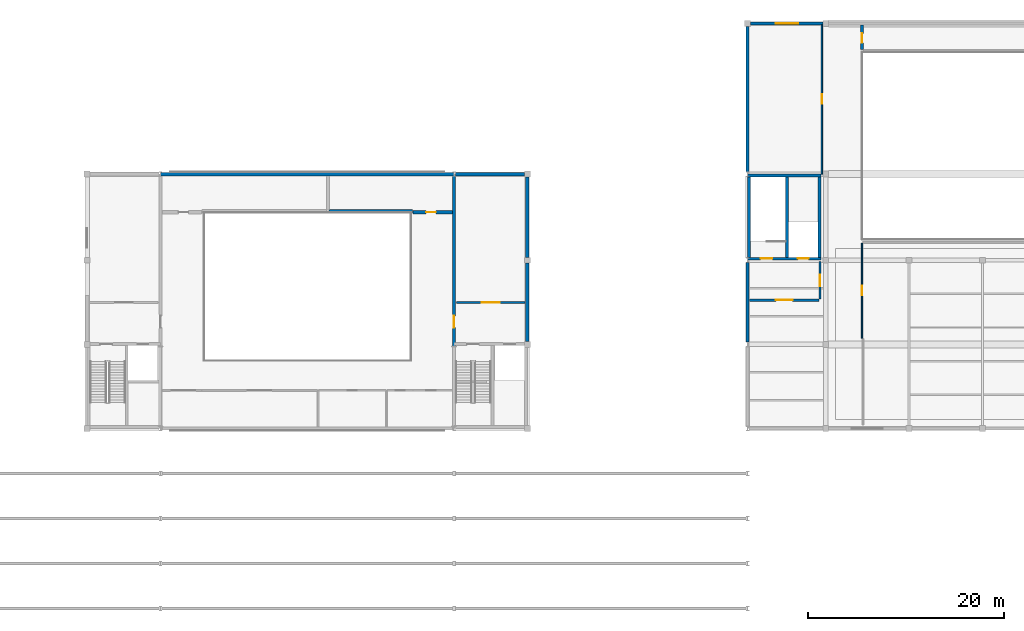
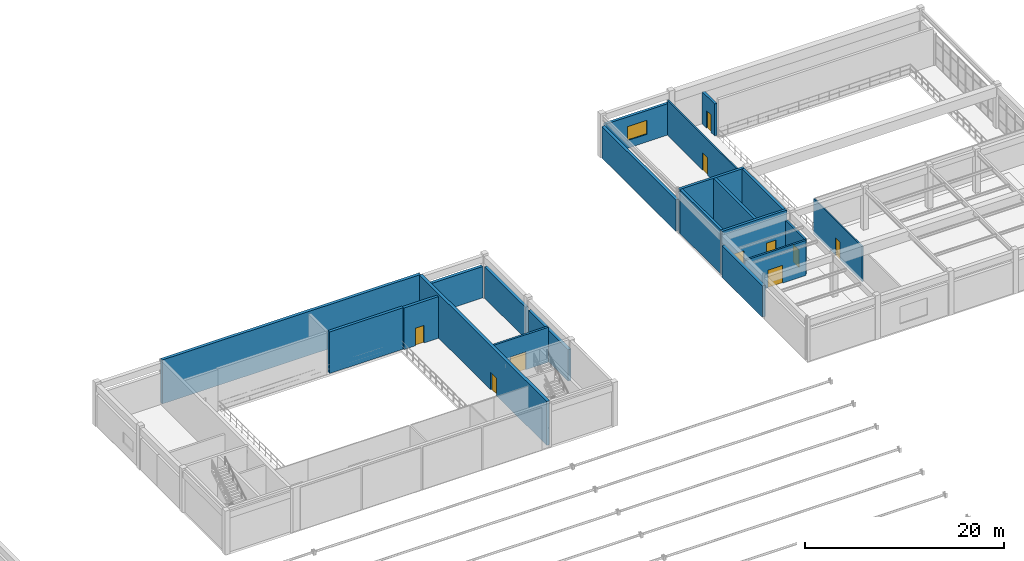
# One storey, part 34 of 38: 21 walls, 10 doors, 1 window, 11 openings.
"""IFC4 building model written with IfcOpenShell, lengths in metres."""

import ifcopenshell
import ifcopenshell.guid

model = None  # the IFC model being written
_history = None  # IfcOwnerHistory: only IFC2X3 demands one
_inside = {}  # id of a spatial element -> (the spatial element, [elements in it])
_under = {}  # id of a project, library or spatial element -> (it, [spatial elements below it])
_declared = {}  # id of a project -> (the project, [libraries it declares])
_typed = {}  # id of a type object -> (the type object, [elements of that type])
_made_of = {}  # id of a material, layer set ... -> (it, [elements and type objects made of it])


def new_model(schema):
    """Start an empty IFC model of exactly this schema.

    Asked for "IFC4X3", IfcOpenShell would pick the latest addendum, in which some entities
    have other attributes; the version numbers below select the first issue.
    IFC2X3 requires an IfcOwnerHistory on every rooted entity: one is made here for all.
    """
    global model, _history
    if schema == "IFC4X3":
        model = ifcopenshell.file(schema_version=(4, 3, 0, 0))
    else:
        model = ifcopenshell.file(schema=schema)
    _inside.clear()
    _under.clear()
    _declared.clear()
    _typed.clear()
    _made_of.clear()
    _history = None
    if model.schema == "IFC2X3":
        org = make("IfcOrganization", Name="unknown")
        user = make(
            "IfcPersonAndOrganization",
            ThePerson=make("IfcPerson", FamilyName="unknown"),
            TheOrganization=org,
        )
        app = make(
            "IfcApplication",
            ApplicationDeveloper=org,
            Version="unknown",
            ApplicationFullName="unknown",
            ApplicationIdentifier="unknown",
        )
        _history = make(
            "IfcOwnerHistory",
            OwningUser=user,
            OwningApplication=app,
            ChangeAction="ADDED",
            CreationDate=0,
        )
    return model


def make(cls, **values):
    """One entity of the class cls with the attributes given. An attribute that is None is left unset."""
    return model.create_entity(
        cls, **{name: value for name, value in values.items() if value is not None}
    )


def rooted(cls, **values):
    """An entity with a GlobalId (a new one), such as an element, a storey or a relation."""
    return make(cls, GlobalId=ifcopenshell.guid.new(), OwnerHistory=_history, **values)


def si_unit(unit_type, name, prefix=None):
    """IfcSIUnit, for example si_unit("LENGTHUNIT", "METRE", prefix="MILLI")."""
    return make("IfcSIUnit", UnitType=unit_type, Prefix=prefix, Name=name)


def assignment(units):
    """IfcUnitAssignment: the units of a project."""
    return None if units is None else make("IfcUnitAssignment", Units=units)


def point(xyz):
    """IfcCartesianPoint."""
    return None if xyz is None else make("IfcCartesianPoint", Coordinates=xyz)


def direction(xyz):
    """IfcDirection."""
    return None if xyz is None else make("IfcDirection", DirectionRatios=xyz)


def frame(location, z_axis=None, x_axis=None):
    """IfcAxis2Placement3D, a coordinate frame: its origin and axes. An axis left out is left unset."""
    return make(
        "IfcAxis2Placement3D",
        Location=point(location),
        Axis=direction(z_axis),
        RefDirection=direction(x_axis),
    )


def frame_2d(location, x_axis=None):
    """IfcAxis2Placement2D, a coordinate frame in the plane: its origin and x axis."""
    return make(
        "IfcAxis2Placement2D", Location=point(location), RefDirection=direction(x_axis)
    )


def origin():
    """The frame at (0, 0, 0) with its axes left unset."""
    return frame((0.0, 0.0, 0.0))


def place(relative_to, where):
    """IfcLocalPlacement: puts the frame where relative to a parent placement (None: the world)."""
    return make(
        "IfcLocalPlacement", PlacementRelTo=relative_to, RelativePlacement=where
    )


def context(
    kind, dimensions, precision=None, world=None, true_north=None, identifier=None
):
    """IfcGeometricRepresentationContext, for example the 3D "Model" context."""
    return make(
        "IfcGeometricRepresentationContext",
        ContextIdentifier=identifier,
        ContextType=kind,
        CoordinateSpaceDimension=dimensions,
        Precision=precision,
        WorldCoordinateSystem=world,
        TrueNorth=true_north,
    )


def subcontext(parent, identifier, kind, view, scale=None):
    """IfcGeometricRepresentationSubContext, for example "Body" below "Model"."""
    return make(
        "IfcGeometricRepresentationSubContext",
        ContextIdentifier=identifier,
        ContextType=kind,
        ParentContext=parent,
        TargetScale=scale,
        TargetView=view,
    )


def project(units=None, contexts=None):
    """IfcProject with its units and contexts."""
    return rooted(
        "IfcProject",
        Name="project",
        RepresentationContexts=contexts,
        UnitsInContext=assignment(units),
    )


def spatial(cls, under=None, at=None, **own):
    """A site, building, storey or space (cls), placed at a placement, below another one or the project."""
    s = rooted(cls, ObjectPlacement=at, **own)
    if under is not None:
        _under.setdefault(under.id(), (under, []))[1].append(s)
    return s


def profile(cls, at=None, kind="AREA", **sizes):
    """A parametric profile (cls). Its sizes go by their IFC names, for example OverallWidth=200.0."""
    return make(cls, ProfileType=kind, Position=at, **sizes)


def rectangle(**sizes):
    """IfcRectangleProfileDef."""
    return profile("IfcRectangleProfileDef", **sizes)


def extrude(swept, where, along, depth):
    """IfcExtrudedAreaSolid: the profile swept, set in the frame where, extruded along a direction by depth."""
    return make(
        "IfcExtrudedAreaSolid",
        SweptArea=swept,
        Position=where,
        ExtrudedDirection=direction(along),
        Depth=depth,
    )


def shape(context_of_items, identifier, shape_type, items):
    """IfcShapeRepresentation: the items that make up one representation, for example the "Body"."""
    return make(
        "IfcShapeRepresentation",
        ContextOfItems=context_of_items,
        RepresentationIdentifier=identifier,
        RepresentationType=shape_type,
        Items=items,
    )


def material(Name=None, Category=None):
    """IfcMaterial."""
    return make("IfcMaterial", Name=Name, Category=Category)


def layer(
    of_material, thickness, ventilated=None, Name=None, Category=None, Priority=None
):
    """IfcMaterialLayer: one layer of a wall or slab, of a material (None: an air gap)."""
    return make(
        "IfcMaterialLayer",
        Material=of_material,
        LayerThickness=thickness,
        IsVentilated=ventilated,
        Name=Name,
        Category=Category,
        Priority=Priority,
    )


def layer_set(layers, Name=None):
    """IfcMaterialLayerSet."""
    return make("IfcMaterialLayerSet", MaterialLayers=layers, LayerSetName=Name)


def made_of(thing, what):
    """Note that an element or type object is made of a material, layer set ...; save() writes the relation."""
    if what is not None:
        _made_of.setdefault(what.id(), (what, []))[1].append(thing)
    return thing


def type_object(cls, material=None, **own):
    """A type object (cls), such as IfcWallType, which elements share."""
    return made_of(rooted(cls, **own), material)


def element(
    cls,
    number,
    at=None,
    inside=None,
    cuts=None,
    type_object=None,
    material=None,
    context=None,
    identifier="Body",
    shape_type=None,
    held_by="IfcProductDefinitionShape",
    body=None,
    shapes=None,
    **own,
):
    """One element of the class cls, such as IfcWall. Its Tag is "e" and its number.

    at: its placement. inside: the storey or other place that contains it. cuts: it is an
    opening in that element (IfcRelVoidsElement). A single representation is given by context,
    identifier, shape_type and body (its items); several are given by shapes. held_by: the class
    of the entity that holds the representations. save() writes the other relations.
    """
    e = rooted(cls, Tag="e%d" % number, ObjectPlacement=at, **own)
    if body is not None:
        shapes = [shape(context, identifier, shape_type, body)]
    if shapes is not None:
        e.Representation = make(held_by, Representations=shapes)
    if inside is not None:
        _inside.setdefault(inside.id(), (inside, []))[1].append(e)
    if cuts is not None:
        rooted(
            "IfcRelVoidsElement", RelatingBuildingElement=cuts, RelatedOpeningElement=e
        )
    if type_object is not None:
        _typed.setdefault(type_object.id(), (type_object, []))[1].append(e)
    return made_of(e, material)


def fill(opening, filler):
    """IfcRelFillsElement: the door or window that sits in an opening."""
    return rooted(
        "IfcRelFillsElement",
        RelatingOpeningElement=opening,
        RelatedBuildingElement=filler,
    )


def aggregate(whole, parts):
    """IfcRelAggregates: a whole, such as a stair, and the parts it consists of."""
    return rooted("IfcRelAggregates", RelatingObject=whole, RelatedObjects=parts)


def save(model, path):
    """Write the relations noted so far, then the file.

    IfcRelAggregates (storeys below a building ...), IfcRelContainedInSpatialStructure (elements
    in a storey), IfcRelDefinesByType, IfcRelAssociatesMaterial and IfcRelDeclares: one each for
    every whole, place, type object, material and project.
    """
    for whole, parts in _under.values():
        aggregate(whole, parts)
    for where, things in _inside.values():
        rooted(
            "IfcRelContainedInSpatialStructure",
            RelatedElements=things,
            RelatingStructure=where,
        )
    for kind, things in _typed.values():
        rooted("IfcRelDefinesByType", RelatedObjects=things, RelatingType=kind)
    for what, things in _made_of.values():
        rooted("IfcRelAssociatesMaterial", RelatedObjects=things, RelatingMaterial=what)
    for by, libraries in _declared.values():
        rooted("IfcRelDeclares", RelatingContext=by, RelatedDefinitions=libraries)
    model.write(path)


model = new_model("IFC4")

# Units and contexts
model_context = context("Model", 3, precision=1e-05, world=origin(), true_north=direction((0.0, 1.0)))
body_context = subcontext(model_context, "Body", "Model", "MODEL_VIEW")
ifc_project = project(units=[si_unit("LENGTHUNIT", "METRE"), si_unit("AREAUNIT", "SQUARE_METRE"), si_unit("VOLUMEUNIT", "CUBIC_METRE"), si_unit("PLANEANGLEUNIT", "RADIAN"), si_unit("MASSUNIT", "GRAM", prefix="KILO")], contexts=[model_context])

# Site, building, storey
site_placement = place(None, origin())
site = spatial("IfcSite", under=ifc_project, at=site_placement, CompositionType="ELEMENT")
building_placement = place(site_placement, origin())
building = spatial("IfcBuilding", under=site, at=building_placement, Name="Muzn Square Opera House", CompositionType="ELEMENT")
storey_placement = place(building_placement, frame((0.0, 0.0, 18.0)))
storey = spatial("IfcBuildingStorey", under=building, at=storey_placement, Name="L04", CompositionType="ELEMENT", Elevation=18.0)

# Wall, opening, door
ifc_material_1 = material(Name="Acoustic gypsum stud partition", Category="gypsum")
ifc_layer_1 = layer(ifc_material_1, 0.320068359375, Name="Acoustic gypsum stud partition", Category="gypsum")
ifc_layer_set_1 = layer_set([ifc_layer_1], Name="Acoustic gypsum stud partition")
wall_type_1 = type_object("IfcWallType", Name="Acoustic Studio Double Wall 320mm", PredefinedType="PARTITIONING", material=ifc_layer_set_1)
wall_1_placement = place(storey_placement, frame((98.800048828125, 94.699951171875, 0.0), z_axis=(0.0, 0.0, 1.0), x_axis=(1.0, 0.0, 0.0)))
wall_1 = element("IfcWall", 1, at=wall_1_placement, inside=storey, type_object=wall_type_1, Name="Interior Partition PW-L04-0393", PredefinedType="PARTITIONING", context=body_context, shape_type="SweptSolid", body=[
    extrude(rectangle(XDim=4.02001953125, YDim=0.320068359375, at=frame_2d((2.010009765625, 0.0))), origin(), (0.0, 0.0, 1.0), 5.10009765625),
])
opening_1_placement = place(wall_1_placement, frame((1.360107421875, 0.0, 0.0)))
opening_1 = element("IfcOpeningElement", 2, at=opening_1_placement, cuts=wall_1, Name="Opening DR-TS98", PredefinedType="OPENING", context=body_context, shape_type="SweptSolid", body=[
    extrude(rectangle(XDim=0.97998046875, YDim=2.14990234375, at=frame_2d((0.489990234375, 1.074951171875))), frame((0.0, 0.169921875, 0.0), z_axis=(0.0, -1.0, 0.0), x_axis=(1.0, 0.0, 0.0)), (0.0, 0.0, 1.0), 0.340087890625),
])
ifc_material_2 = material(Name="Acoustic hardwood leaf", Category="wood")
door_type_1 = type_object("IfcDoorType", Name="Technical Studio Door 980x2150", OperationType="NOTDEFINED", PredefinedType="DOOR", material=ifc_material_2)
door_1_placement = place(opening_1_placement, origin())
door_1 = element("IfcDoor", 3, at=door_1_placement, inside=storey, type_object=door_type_1, Name="Lighting Design Studio Door DR-L04-0115", OperationType="SINGLE_SWING_RIGHT", OverallHeight=2.14990234375, OverallWidth=0.97998046875, PredefinedType="DOOR", context=body_context, shape_type="SweptSolid", body=[
    extrude(rectangle(XDim=0.97998046875, YDim=2.14990234375, at=frame_2d((0.489990234375, 1.074951171875))), frame((0.0, 0.02490234375, 0.0), z_axis=(0.0, -1.0, 0.0), x_axis=(1.0, 0.0, 0.0)), (0.0, 0.0, 1.0), 0.050048828125),
])
fill(opening_1, door_1)

# Walls
wall_2_placement = place(storey_placement, frame((90.2451171875, 94.800048828125, 0.0), z_axis=(0.0, 0.0, 1.0), x_axis=(1.0, 0.0, 0.0)))
element("IfcWall", 4, at=wall_2_placement, inside=storey, type_object=wall_type_1, Name="Room Enclosure Partition PW-L04-0406", PredefinedType="PARTITIONING", context=body_context, shape_type="SweptSolid", body=[
    extrude(rectangle(XDim=8.534912109375, YDim=0.320068359375, at=frame_2d((4.267578125, 0.0))), origin(), (0.0, 0.0, 1.0), 5.10009765625),
])
ifc_material_3 = material(Name="Concrete C45/55", Category="concrete")
ifc_layer_2 = layer(ifc_material_3, 0.300048828125, Name="Concrete C45/55", Category="concrete")
ifc_layer_set_2 = layer_set([ifc_layer_2], Name="Concrete C45/55")
wall_type_2 = type_object("IfcWallType", Name="Core Shear Wall 300mm", PredefinedType="SHEAR", material=ifc_layer_set_2)
wall_3_placement = place(storey_placement, frame((133.0, 98.449951171875, 0.0), z_axis=(0.0, 0.0, 1.0), x_axis=(1.0, 0.0, 0.0)))
element("IfcWall", 5, at=wall_3_placement, inside=storey, type_object=wall_type_2, Name="Core C5 Shear Wall SW-C5-L04-N", PredefinedType="SHEAR", context=body_context, shape_type="SweptSolid", body=[
    extrude(rectangle(XDim=7.5, YDim=0.300048828125, at=frame_2d((3.75, 0.0))), origin(), (0.0, 0.0, 1.0), 5.39990234375),
])
for number, where, z_axis, x_axis, name in (
    (6, (133.14990234375, 90.10009765625, 0.0), (0.0, 0.0, 1.0), (0.0, 1.0, 0.0), "Core C5 Shear Wall SW-C5-L04-W"),
    (7, (140.35009765625, 90.10009765625, 0.0), (0.0, 0.0, 1.0), (0.0, 1.0, 0.0), "Core C5 Shear Wall SW-C5-L04-E"),
    (8, (137.050048828125, 90.10009765625, 0.0), (0.0, 0.0, 1.0), (0.0, 1.0, 0.0), "Core C5 Shear Wall SW-C5-L04-DIV"),
):
    element("IfcWall", number, at=place(storey_placement, frame(where, z_axis=z_axis, x_axis=x_axis)), inside=storey, type_object=wall_type_2, Name=name, PredefinedType="SHEAR", context=body_context, shape_type="SweptSolid", body=[
        extrude(rectangle(XDim=8.199951171875, YDim=0.300048828125, at=frame_2d((4.10009765625, 0.0))), origin(), (0.0, 0.0, 1.0), 5.39990234375),
    ])

# Wall, openings, doors
wall_4_placement = place(storey_placement, frame((133.0, 89.949951171875, 0.0), z_axis=(0.0, 0.0, 1.0), x_axis=(1.0, 0.0, 0.0)))
wall_4 = element("IfcWall", 9, at=wall_4_placement, inside=storey, type_object=wall_type_2, Name="Core C5 Front Shear Wall L04", PredefinedType="SHEAR", context=body_context, shape_type="SweptSolid", body=[
    extrude(rectangle(XDim=7.5, YDim=0.300048828125, at=frame_2d((3.75, 0.0))), origin(), (0.0, 0.0, 1.0), 5.39990234375),
])
opening_2_placement = place(wall_4_placement, frame((2.550048828125, 0.0, 0.0), z_axis=(0.0, 0.0, 1.0), x_axis=(-1.0, 0.0, 0.0)))
opening_2 = element("IfcOpeningElement", 10, at=opening_2_placement, cuts=wall_4, Name="Opening DR-ST12", PredefinedType="OPENING", context=body_context, shape_type="SweptSolid", body=[
    extrude(rectangle(XDim=1.199951171875, YDim=2.14990234375, at=frame_2d((0.60009765625, 1.074951171875))), frame((0.0, 0.159912109375, 0.0), z_axis=(0.0, -1.0, 0.0), x_axis=(1.0, 0.0, 0.0)), (0.0, 0.0, 1.0), 0.320068359375),
])
opening_3_placement = place(wall_4_placement, frame((5.14990234375, 0.0, 0.0)))
opening_3 = element("IfcOpeningElement", 11, at=opening_3_placement, cuts=wall_4, Name="Opening LD-01", PredefinedType="OPENING", context=body_context, shape_type="SweptSolid", body=[
    extrude(rectangle(XDim=1.10009765625, YDim=2.14990234375, at=frame_2d((0.550048828125, 1.074951171875))), frame((0.0, 0.159912109375, 0.0), z_axis=(0.0, -1.0, 0.0), x_axis=(1.0, 0.0, 0.0)), (0.0, 0.0, 1.0), 0.320068359375),
])
ifc_material_4 = material(Name="Galvanised painted steel leaf", Category="metal")
door_type_2 = type_object("IfcDoorType", Name="Core Stair Fire Door 1200x2150", OperationType="NOTDEFINED", PredefinedType="DOOR", material=ifc_material_4)
door_2_placement = place(opening_2_placement, origin())
door_2 = element("IfcDoor", 12, at=door_2_placement, inside=storey, type_object=door_type_2, Name="Core C5 Stair Door L04", OperationType="SINGLE_SWING_RIGHT", OverallHeight=2.14990234375, OverallWidth=1.199951171875, PredefinedType="DOOR", context=body_context, shape_type="SweptSolid", body=[
    extrude(rectangle(XDim=1.199951171875, YDim=2.14990234375, at=frame_2d((0.60009765625, 1.074951171875))), frame((0.0, 0.02490234375, 0.0), z_axis=(0.0, -1.0, 0.0), x_axis=(1.0, 0.0, 0.0)), (0.0, 0.0, 1.0), 0.050048828125),
])
fill(opening_2, door_2)
ifc_material_5 = material(Name="Brushed stainless steel", Category="metal")
door_type_3 = type_object("IfcDoorType", Name="Lift Landing Sliding Door 1100x2150", OperationType="SLIDING_TO_LEFT", PredefinedType="DOOR", material=ifc_material_5)
door_3_placement = place(opening_3_placement, origin())
door_3 = element("IfcDoor", 13, at=door_3_placement, inside=storey, type_object=door_type_3, Name="Lift PL-5 Sliding Landing Door L04", OperationType="SLIDING_TO_LEFT", OverallHeight=2.14990234375, OverallWidth=1.10009765625, PredefinedType="DOOR", context=body_context, shape_type="SweptSolid", body=[
    extrude(rectangle(XDim=1.10009765625, YDim=2.14990234375, at=frame_2d((0.550048828125, 1.074951171875))), frame((0.0, 0.02490234375, 0.0), z_axis=(0.0, -1.0, 0.0), x_axis=(1.0, 0.0, 0.0)), (0.0, 0.0, 1.0), 0.050048828125),
])
fill(opening_3, door_3)

# Wall, opening, window
ifc_material_6 = material(Name="Concrete C40/50", Category="concrete")
ifc_layer_3 = layer(ifc_material_6, 0.31005859375, Name="Concrete C40/50", Category="concrete")
ifc_layer_set_3 = layer_set([ifc_layer_3], Name="Concrete C40/50")
wall_type_3 = type_object("IfcWallType", Name="Exterior Gallery Facade Wall 310mm", PredefinedType="SOLIDWALL", material=ifc_layer_set_3)
wall_5_placement = place(storey_placement, frame((133.300048828125, 114.0, 0.0), z_axis=(0.0, 0.0, 1.0), x_axis=(1.0, 0.0, 0.0)))
wall_5 = element("IfcWall", 14, at=wall_5_placement, inside=storey, type_object=wall_type_3, Name="Exterior Facade Wall EW-L04-096", PredefinedType="SOLIDWALL", context=body_context, shape_type="SweptSolid", body=[
    extrude(rectangle(XDim=7.39990234375, YDim=0.31005859375, at=frame_2d((3.699951171875, 0.0))), origin(), (0.0, 0.0, 1.0), 3.85009765625),
])
opening_4_placement = place(wall_5_placement, frame((2.580078125, 0.0, 0.949951171875)))
opening_4 = element("IfcOpeningElement", 15, at=opening_4_placement, cuts=wall_5, Name="Opening WN-M2317", PredefinedType="OPENING", context=body_context, shape_type="SweptSolid", body=[
    extrude(rectangle(XDim=2.300048828125, YDim=1.699951171875, at=frame_2d((1.14990234375, 0.85009765625))), frame((0.0, 0.1650390625, 0.0), z_axis=(0.0, -1.0, 0.0), x_axis=(1.0, 0.0, 0.0)), (0.0, 0.0, 1.0), 0.330078125),
])
ifc_material_7 = material(Name="Low-E laminated acoustic double glazing", Category="glass")
window_type = type_object("IfcWindowType", Name="Recording Control Window 2300x1700", PartitioningType="DOUBLE_PANEL_HORIZONTAL", PredefinedType="WINDOW", material=ifc_material_7)
window_placement = place(opening_4_placement, origin())
window = element("IfcWindow", 16, at=window_placement, inside=storey, type_object=window_type, Name="Recording Control Window 2300x1700 EW-L04-096-WN01", OverallHeight=1.699951171875, OverallWidth=2.300048828125, PartitioningType="SINGLE_PANEL", PredefinedType="WINDOW", context=body_context, shape_type="SweptSolid", body=[
    extrude(rectangle(XDim=2.300048828125, YDim=1.699951171875, at=frame_2d((1.14990234375, 0.85009765625))), frame((0.0, 0.030029296875, 0.0), z_axis=(0.0, -1.0, 0.0), x_axis=(1.0, 0.0, 0.0)), (0.0, 0.0, 1.0), 0.06005859375),
])
fill(opening_4, window)

# Walls
ifc_layer_4 = layer(ifc_material_6, 0.340087890625, Name="Concrete C40/50", Category="concrete")
ifc_layer_set_4 = layer_set([ifc_layer_4], Name="Concrete C40/50")
wall_type_4 = type_object("IfcWallType", Name="Exterior Insulated Spandrel Wall 340mm", PredefinedType="SOLIDWALL", material=ifc_layer_set_4)
wall_6_placement = place(storey_placement, frame((110.5, 81.5, 0.0), z_axis=(0.0, 0.0, 1.0), x_axis=(0.0, 1.0, 0.0)))
element("IfcWall", 17, at=wall_6_placement, inside=storey, type_object=wall_type_4, Name="Exterior Facade Wall EW-L04-263", PredefinedType="SOLIDWALL", context=body_context, shape_type="SweptSolid", body=[
    extrude(rectangle(XDim=8.0, YDim=0.340087890625, at=frame_2d((4.0, 0.0))), origin(), (0.0, 0.0, 1.0), 3.85009765625),
])
wall_7_placement = place(storey_placement, frame((110.5, 90.10009765625, 0.0), z_axis=(0.0, 0.0, 1.0), x_axis=(0.0, 1.0, 0.0)))
element("IfcWall", 18, at=wall_7_placement, inside=storey, type_object=wall_type_4, Name="Exterior Facade Wall EW-L04-264", PredefinedType="SOLIDWALL", context=body_context, shape_type="SweptSolid", body=[
    extrude(rectangle(XDim=8.199951171875, YDim=0.340087890625, at=frame_2d((4.10009765625, 0.0))), origin(), (0.0, 0.0, 1.0), 3.85009765625),
])
wall_8_placement = place(storey_placement, frame((103.14990234375, 98.60009765625, 0.0), z_axis=(0.0, 0.0, 1.0), x_axis=(1.0, 0.0, 0.0)))
element("IfcWall", 19, at=wall_8_placement, inside=storey, type_object=wall_type_4, Name="Exterior Facade Wall EW-L04-267", PredefinedType="SOLIDWALL", context=body_context, shape_type="SweptSolid", body=[
    extrude(rectangle(XDim=7.050048828125, YDim=0.340087890625, at=frame_2d((3.52490234375, 0.0))), origin(), (0.0, 0.0, 1.0), 3.85009765625),
])
wall_9_placement = place(storey_placement, frame((133.0, 81.425048828125, 0.0), z_axis=(0.0, 0.0, 1.0), x_axis=(0.0, 1.0, 0.0)))
element("IfcWall", 20, at=wall_9_placement, inside=storey, type_object=wall_type_4, Name="Exterior Facade Wall EW-L04-274", PredefinedType="SOLIDWALL", context=body_context, shape_type="SweptSolid", body=[
    extrude(rectangle(XDim=8.14990234375, YDim=0.340087890625, at=frame_2d((4.074951171875, 0.0))), origin(), (0.0, 0.0, 1.0), 3.85009765625),
])
wall_10_placement = place(storey_placement, frame((133.0, 98.824951171875, 0.0), z_axis=(0.0, 0.0, 1.0), x_axis=(0.0, 1.0, 0.0)))
element("IfcWall", 21, at=wall_10_placement, inside=storey, type_object=wall_type_4, Name="Exterior Facade Wall EW-L04-276", PredefinedType="SOLIDWALL", context=body_context, shape_type="SweptSolid", body=[
    extrude(rectangle(XDim=14.875, YDim=0.340087890625, at=frame_2d((7.4375, 0.0))), origin(), (0.0, 0.0, 1.0), 3.85009765625),
])

# Wall, opening, door
ifc_layer_5 = layer(ifc_material_6, 0.239990234375, Name="Concrete C40/50", Category="concrete")
ifc_layer_set_5 = layer_set([ifc_layer_5], Name="Concrete C40/50")
wall_type_5 = type_object("IfcWallType", Name="Firefighting Lobby Wall 240mm", PredefinedType="SOLIDWALL", material=ifc_layer_set_5)
wall_11_placement = place(storey_placement, frame((103.239990234375, 85.47998046875, 0.0), z_axis=(0.0, 0.0, 1.0), x_axis=(1.0, 0.0, 0.0)))
wall_11 = element("IfcWall", 22, at=wall_11_placement, inside=storey, type_object=wall_type_5, Name="Lobby C2 Enclosure Wall L04", PredefinedType="SOLIDWALL", context=body_context, shape_type="SweptSolid", body=[
    extrude(rectangle(XDim=7.02001953125, YDim=0.239990234375, at=frame_2d((3.510009765625, 0.0))), origin(), (0.0, 0.0, 1.0), 4.300048828125),
])
opening_5_placement = place(wall_11_placement, frame((2.610107421875, 0.0, 0.0)))
opening_5 = element("IfcOpeningElement", 23, at=opening_5_placement, cuts=wall_11, Name="Opening DR-FL18", PredefinedType="OPENING", context=body_context, shape_type="SweptSolid", body=[
    extrude(rectangle(XDim=1.800048828125, YDim=2.179931640625, at=frame_2d((0.89990234375, 1.08984375))), frame((0.0, 0.1298828125, 0.0), z_axis=(0.0, -1.0, 0.0), x_axis=(1.0, 0.0, 0.0)), (0.0, 0.0, 1.0), 0.260009765625),
])
door_type_4 = type_object("IfcDoorType", Name="Firefighting Lobby Double Door 1800x2180", OperationType="DOUBLE_DOOR_SINGLE_SWING", PredefinedType="DOOR", material=ifc_material_4)
door_4_placement = place(opening_5_placement, origin())
door_4 = element("IfcDoor", 24, at=door_4_placement, inside=storey, type_object=door_type_4, Name="Lobby C2 Fire Door L04", OperationType="DOUBLE_DOOR_SINGLE_SWING", OverallHeight=2.179931640625, OverallWidth=1.800048828125, PredefinedType="DOOR", context=body_context, shape_type="SweptSolid", body=[
    extrude(rectangle(XDim=1.800048828125, YDim=2.179931640625, at=frame_2d((0.89990234375, 1.08984375))), frame((0.0, 0.02490234375, 0.0), z_axis=(0.0, -1.0, 0.0), x_axis=(1.0, 0.0, 0.0)), (0.0, 0.0, 1.0), 0.050048828125),
])
fill(opening_5, door_4)

ifc_layer_6 = layer(ifc_material_3, 0.35009765625, Name="Concrete C45/55", Category="concrete")
ifc_layer_set_6 = layer_set([ifc_layer_6], Name="Concrete C45/55")
wall_type_6 = type_object("IfcWallType", Name="Fly Tower Shear Wall 350mm", PredefinedType="SHEAR", material=ifc_layer_set_6)
wall_12_placement = place(storey_placement, frame((103.0, 72.81494140625, 0.0), z_axis=(0.0, 0.0, 1.0), x_axis=(0.0, 1.0, 0.0)))
wall_12 = element("IfcWall", 25, at=wall_12_placement, inside=storey, type_object=wall_type_6, Name="Fly Tower Shear Wall FTW-L04-E", PredefinedType="SHEAR", context=body_context, shape_type="SweptSolid", body=[
    extrude(rectangle(XDim=25.570068359375, YDim=0.35009765625, at=frame_2d((12.78515625, 0.0))), origin(), (0.0, 0.0, 1.0), 5.39990234375),
])
opening_6_placement = place(wall_12_placement, frame((10.0849609375, 0.0, 0.0)))
opening_6 = element("IfcOpeningElement", 26, at=opening_6_placement, cuts=wall_12, Name="Opening DR-ST12", PredefinedType="OPENING", context=body_context, shape_type="SweptSolid", body=[
    extrude(rectangle(XDim=1.199951171875, YDim=2.14990234375, at=frame_2d((0.60009765625, 1.074951171875))), frame((0.0, 0.18505859375, 0.0), z_axis=(0.0, -1.0, 0.0), x_axis=(1.0, 0.0, 0.0)), (0.0, 0.0, 1.0), 0.3701171875),
])
door_5_placement = place(opening_6_placement, origin())
door_5 = element("IfcDoor", 27, at=door_5_placement, inside=storey, type_object=door_type_2, Name="Lobby C2 Side Door W L04", OperationType="SINGLE_SWING_RIGHT", OverallHeight=2.14990234375, OverallWidth=1.199951171875, PredefinedType="DOOR", context=body_context, shape_type="SweptSolid", body=[
    extrude(rectangle(XDim=1.199951171875, YDim=2.14990234375, at=frame_2d((0.60009765625, 1.074951171875))), frame((0.0, 0.02490234375, 0.0), z_axis=(0.0, -1.0, 0.0), x_axis=(1.0, 0.0, 0.0)), (0.0, 0.0, 1.0), 0.050048828125),
])
fill(opening_6, door_5)

# Wall
wall_13_placement = place(storey_placement, frame((73.0048828125, 98.60009765625, 0.0), z_axis=(0.0, 0.0, 1.0), x_axis=(1.0, 0.0, 0.0)))
element("IfcWall", 28, at=wall_13_placement, inside=storey, type_object=wall_type_6, Name="Fly Tower Shear Wall FTW-L04-N", PredefinedType="SHEAR", context=body_context, shape_type="SweptSolid", body=[
    extrude(rectangle(XDim=29.990234375, YDim=0.35009765625, at=frame_2d((14.9951171875, 0.0))), origin(), (0.0, 0.0, 1.0), 5.39990234375),
])

# Wall, opening, door
ifc_layer_7 = layer(ifc_material_1, 0.169921875, Name="Acoustic gypsum stud partition", Category="gypsum")
ifc_layer_set_7 = layer_set([ifc_layer_7], Name="Acoustic gypsum stud partition")
wall_type_7 = type_object("IfcWallType", Name="Gallery Partition 170mm", PredefinedType="PARTITIONING", material=ifc_layer_set_7)
wall_14_placement = place(storey_placement, frame((140.60009765625, 98.60498046875, 0.0), z_axis=(0.0, 0.0, 1.0), x_axis=(0.0, 1.0, 0.0)))
wall_14 = element("IfcWall", 29, at=wall_14_placement, inside=storey, type_object=wall_type_7, Name="Interior Partition PW-L04-0399", PredefinedType="PARTITIONING", context=body_context, shape_type="SweptSolid", body=[
    extrude(rectangle(XDim=15.235107421875, YDim=0.169921875, at=frame_2d((7.61767578125, 0.0))), origin(), (0.0, 0.0, 1.0), 4.300048828125),
])
opening_7_placement = place(wall_14_placement, frame((7.1650390625, 0.0, 0.0)))
opening_7 = element("IfcOpeningElement", 30, at=opening_7_placement, cuts=wall_14, Name="Opening DR-TS98", PredefinedType="OPENING", context=body_context, shape_type="SweptSolid", body=[
    extrude(rectangle(XDim=0.97998046875, YDim=2.14990234375, at=frame_2d((0.489990234375, 1.074951171875))), frame((0.0, 0.094970703125, 0.0), z_axis=(0.0, -1.0, 0.0), x_axis=(1.0, 0.0, 0.0)), (0.0, 0.0, 1.0), 0.18994140625),
])
door_6_placement = place(opening_7_placement, origin())
door_6 = element("IfcDoor", 31, at=door_6_placement, inside=storey, type_object=door_type_1, Name="Orchestra Recording Control Gallery Door DR-L04-0120", OperationType="SINGLE_SWING_LEFT", OverallHeight=2.14990234375, OverallWidth=0.97998046875, PredefinedType="DOOR", context=body_context, shape_type="SweptSolid", body=[
    extrude(rectangle(XDim=0.97998046875, YDim=2.14990234375, at=frame_2d((0.489990234375, 1.074951171875))), frame((0.0, 0.02490234375, 0.0), z_axis=(0.0, -1.0, 0.0), x_axis=(1.0, 0.0, 0.0)), (0.0, 0.0, 1.0), 0.050048828125),
])
fill(opening_7, door_6)

ifc_layer_8 = layer(ifc_material_6, 0.219970703125, Name="Concrete C40/50", Category="concrete")
ifc_layer_set_8 = layer_set([ifc_layer_8], Name="Concrete C40/50")
wall_type_8 = type_object("IfcWallType", Name="Lift Lobby Wall 220mm", PredefinedType="SOLIDWALL", material=ifc_layer_set_8)
wall_15_placement = place(storey_placement, frame((133.219970703125, 85.7099609375, 0.0), z_axis=(0.0, 0.0, 1.0), x_axis=(1.0, 0.0, 0.0)))
wall_15 = element("IfcWall", 32, at=wall_15_placement, inside=storey, type_object=wall_type_8, Name="Lobby C5 Enclosure Wall L04", PredefinedType="SOLIDWALL", context=body_context, shape_type="SweptSolid", body=[
    extrude(rectangle(XDim=7.06005859375, YDim=0.219970703125, at=frame_2d((3.530029296875, 0.0))), origin(), (0.0, 0.0, 1.0), 4.300048828125),
])
opening_8_placement = place(wall_15_placement, frame((4.3798828125, 0.0, 0.0), z_axis=(0.0, 0.0, 1.0), x_axis=(-1.0, 0.0, 0.0)))
opening_8 = element("IfcOpeningElement", 33, at=opening_8_placement, cuts=wall_15, Name="Opening DR-LL17", PredefinedType="OPENING", context=body_context, shape_type="SweptSolid", body=[
    extrude(rectangle(XDim=1.699951171875, YDim=2.179931640625, at=frame_2d((0.85009765625, 1.08984375))), frame((0.0, 0.119873046875, 0.0), z_axis=(0.0, -1.0, 0.0), x_axis=(1.0, 0.0, 0.0)), (0.0, 0.0, 1.0), 0.239990234375),
])
door_type_5 = type_object("IfcDoorType", Name="Lift Lobby Double Door 1700x2180", OperationType="DOUBLE_DOOR_SINGLE_SWING", PredefinedType="DOOR", material=ifc_material_2)
door_7_placement = place(opening_8_placement, origin())
door_7 = element("IfcDoor", 34, at=door_7_placement, inside=storey, type_object=door_type_5, Name="Lobby C5 Fire Door L04", OperationType="DOUBLE_DOOR_SINGLE_SWING", OverallHeight=2.179931640625, OverallWidth=1.699951171875, PredefinedType="DOOR", context=body_context, shape_type="SweptSolid", body=[
    extrude(rectangle(XDim=1.699951171875, YDim=2.179931640625, at=frame_2d((0.85009765625, 1.08984375))), frame((0.0, 0.02490234375, 0.0), z_axis=(0.0, -1.0, 0.0), x_axis=(1.0, 0.0, 0.0)), (0.0, 0.0, 1.0), 0.050048828125),
])
fill(opening_8, door_7)

wall_16_placement = place(storey_placement, frame((140.389892578125, 85.820068359375, 0.0), z_axis=(0.0, 0.0, 1.0), x_axis=(0.0, 1.0, 0.0)))
wall_16 = element("IfcWall", 35, at=wall_16_placement, inside=storey, type_object=wall_type_8, Name="Lobby C5 Side Wall E L04", PredefinedType="SOLIDWALL", context=body_context, shape_type="SweptSolid", body=[
    extrude(rectangle(XDim=3.829833984375, YDim=0.219970703125, at=frame_2d((1.9150390625, 0.0))), origin(), (0.0, 0.0, 1.0), 4.300048828125),
])
opening_9_placement = place(wall_16_placement, frame((2.514892578125, 0.0, 0.0), z_axis=(0.0, 0.0, 1.0), x_axis=(-1.0, 0.0, 0.0)))
opening_9 = element("IfcOpeningElement", 36, at=opening_9_placement, cuts=wall_16, Name="Opening DR-ST12", PredefinedType="OPENING", context=body_context, shape_type="SweptSolid", body=[
    extrude(rectangle(XDim=1.199951171875, YDim=2.14990234375, at=frame_2d((0.60009765625, 1.074951171875))), frame((0.0, 0.119873046875, 0.0), z_axis=(0.0, -1.0, 0.0), x_axis=(1.0, 0.0, 0.0)), (0.0, 0.0, 1.0), 0.239990234375),
])
door_8_placement = place(opening_9_placement, origin())
door_8 = element("IfcDoor", 37, at=door_8_placement, inside=storey, type_object=door_type_2, Name="Lobby C5 Side Door E L04", OperationType="SINGLE_SWING_LEFT", OverallHeight=2.14990234375, OverallWidth=1.199951171875, PredefinedType="DOOR", context=body_context, shape_type="SweptSolid", body=[
    extrude(rectangle(XDim=1.199951171875, YDim=2.14990234375, at=frame_2d((0.60009765625, 1.074951171875))), frame((0.0, 0.02490234375, 0.0), z_axis=(0.0, -1.0, 0.0), x_axis=(1.0, 0.0, 0.0)), (0.0, 0.0, 1.0), 0.050048828125),
])
fill(opening_9, door_8)

ifc_layer_9 = layer(ifc_material_1, 0.14990234375, Name="Acoustic gypsum stud partition", Category="gypsum")
ifc_layer_set_9 = layer_set([ifc_layer_9], Name="Acoustic gypsum stud partition")
wall_type_9 = type_object("IfcWallType", Name="Office Acoustic Partition 150mm", PredefinedType="PARTITIONING", material=ifc_layer_set_9)
wall_17_placement = place(storey_placement, frame((144.699951171875, 81.800048828125, 0.0), z_axis=(0.0, 0.0, 1.0), x_axis=(0.0, 1.0, 0.0)))
wall_17 = element("IfcWall", 38, at=wall_17_placement, inside=storey, type_object=wall_type_9, Name="Interior Partition PW-L04-0398", PredefinedType="PARTITIONING", context=body_context, shape_type="SweptSolid", body=[
    extrude(rectangle(XDim=9.739990234375, YDim=0.14990234375, at=frame_2d((4.8701171875, 0.0))), origin(), (0.0, 0.0, 1.0), 4.300048828125),
])
opening_10_placement = place(wall_17_placement, frame((4.425048828125, 0.0, 0.0)))
opening_10 = element("IfcOpeningElement", 39, at=opening_10_placement, cuts=wall_17, Name="Opening DR-OF95", PredefinedType="OPENING", context=body_context, shape_type="SweptSolid", body=[
    extrude(rectangle(XDim=0.949951171875, YDim=2.14990234375, at=frame_2d((0.47509765625, 1.074951171875))), frame((0.0, 0.0849609375, 0.0), z_axis=(0.0, -1.0, 0.0), x_axis=(1.0, 0.0, 0.0)), (0.0, 0.0, 1.0), 0.169921875),
])
door_type_6 = type_object("IfcDoorType", Name="Office Room Door 950x2150", OperationType="NOTDEFINED", PredefinedType="DOOR", material=ifc_material_2)
door_9_placement = place(opening_10_placement, origin())
door_9 = element("IfcDoor", 40, at=door_9_placement, inside=storey, type_object=door_type_6, Name="Musicians Lounge and Ensemble Salon Door DR-L04-0119", OperationType="SINGLE_SWING_RIGHT", OverallHeight=2.14990234375, OverallWidth=0.949951171875, PredefinedType="DOOR", context=body_context, shape_type="SweptSolid", body=[
    extrude(rectangle(XDim=0.949951171875, YDim=2.14990234375, at=frame_2d((0.47509765625, 1.074951171875))), frame((0.0, 0.02490234375, 0.0), z_axis=(0.0, -1.0, 0.0), x_axis=(1.0, 0.0, 0.0)), (0.0, 0.0, 1.0), 0.050048828125),
])
fill(opening_10, door_9)

ifc_layer_10 = layer(ifc_material_1, 0.2900390625, Name="Acoustic gypsum stud partition", Category="gypsum")
ifc_layer_set_10 = layer_set([ifc_layer_10], Name="Acoustic gypsum stud partition")
wall_type_10 = type_object("IfcWallType", Name="Rehearsal Sound Wall 290mm", PredefinedType="PARTITIONING", material=ifc_layer_set_10)
wall_18_placement = place(storey_placement, frame((144.699951171875, 111.330078125, 0.0), z_axis=(0.0, 0.0, 1.0), x_axis=(0.0, 1.0, 0.0)))
wall_18 = element("IfcWall", 41, at=wall_18_placement, inside=storey, type_object=wall_type_10, Name="Interior Partition PW-L04-0404", PredefinedType="PARTITIONING", context=body_context, shape_type="SweptSolid", body=[
    extrude(rectangle(XDim=2.494873046875, YDim=0.2900390625, at=frame_2d((1.24755859375, 0.0))), origin(), (0.0, 0.0, 1.0), 3.929931640625),
])
opening_11_placement = place(wall_18_placement, frame((0.679931640625, 0.0, 0.0)))
opening_11 = element("IfcOpeningElement", 42, at=opening_11_placement, cuts=wall_18, Name="Opening DR-TS98", PredefinedType="OPENING", context=body_context, shape_type="SweptSolid", body=[
    extrude(rectangle(XDim=0.97998046875, YDim=2.14990234375, at=frame_2d((0.489990234375, 1.074951171875))), frame((0.0, 0.155029296875, 0.0), z_axis=(0.0, -1.0, 0.0), x_axis=(1.0, 0.0, 0.0)), (0.0, 0.0, 1.0), 0.31005859375),
])
door_10_placement = place(opening_11_placement, origin())
door_10 = element("IfcDoor", 43, at=door_10_placement, inside=storey, type_object=door_type_1, Name="Rehearsal Acoustic Isolation Booth Door DR-L04-0125", OperationType="SINGLE_SWING_RIGHT", OverallHeight=2.14990234375, OverallWidth=0.97998046875, PredefinedType="DOOR", context=body_context, shape_type="SweptSolid", body=[
    extrude(rectangle(XDim=0.97998046875, YDim=2.14990234375, at=frame_2d((0.489990234375, 1.074951171875))), frame((0.0, 0.02490234375, 0.0), z_axis=(0.0, -1.0, 0.0), x_axis=(1.0, 0.0, 0.0)), (0.0, 0.0, 1.0), 0.050048828125),
])
fill(opening_11, door_10)

save(model, "model.ifc")
